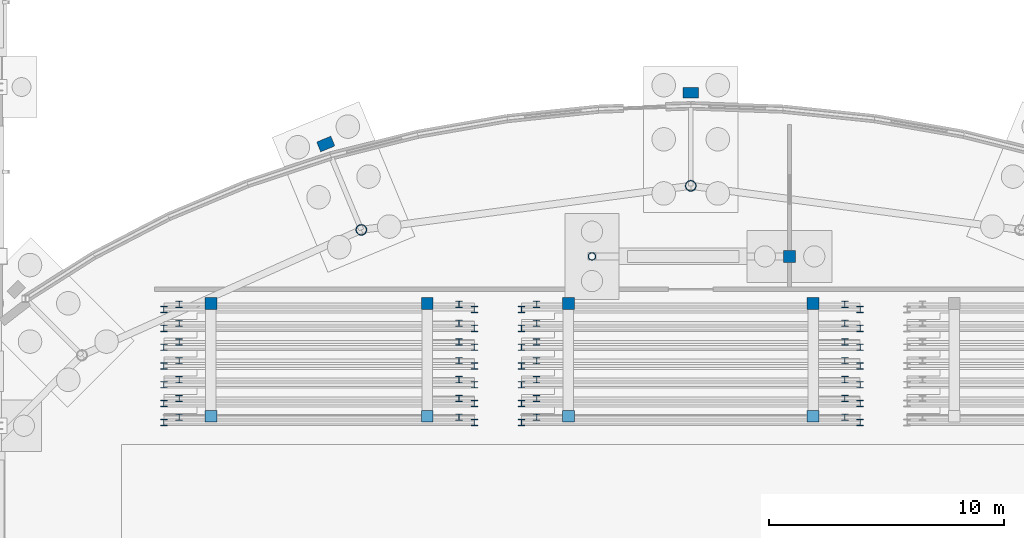
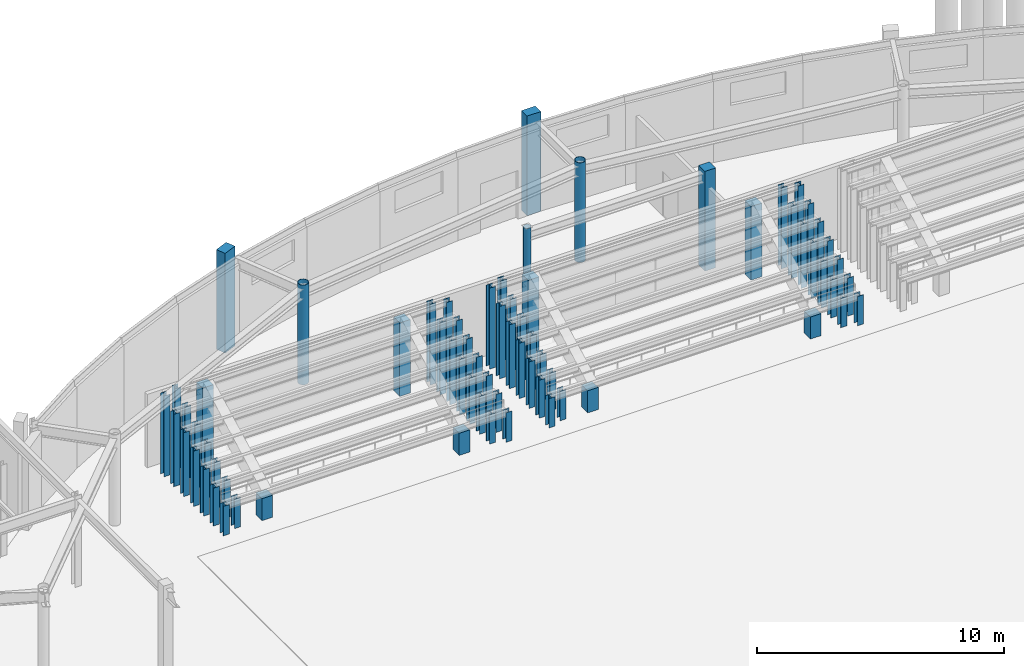
# One storey, part 21 of 93: 70 columns.
"""IFC4 building model written with IfcOpenShell, lengths in metres."""

from ifc_helpers import new_model, si_unit, derived_unit, direction, frame, origin, origin_2d, place, context, subcontext, project, spatial, rectangle, hollow_circle, i_section, extrude, material, material_profile, profile_set, type_object, element, save


model = new_model("IFC4")

# Units and contexts
model_context = context("Model", 3, precision=1e-05, world=origin(), true_north=direction((0.0, 1.0)))
body_context = subcontext(model_context, "Body", "Model", "MODEL_VIEW")
ifc_project = project(units=[si_unit("LENGTHUNIT", "METRE"), si_unit("AREAUNIT", "SQUARE_METRE"), si_unit("VOLUMEUNIT", "CUBIC_METRE"), si_unit("PLANEANGLEUNIT", "RADIAN"), si_unit("MASSUNIT", "GRAM", prefix="KILO"), derived_unit("THERMALTRANSMITTANCEUNIT", [(si_unit("MASSUNIT", "GRAM", prefix="KILO"), 1), (si_unit("TIMEUNIT", "SECOND"), -3), (si_unit("THERMODYNAMICTEMPERATUREUNIT", "KELVIN"), -1)])], contexts=[model_context])

# Site, building, storey
site_placement = place(None, origin())
site = spatial("IfcSite", under=ifc_project, at=site_placement, CompositionType="ELEMENT")
building_placement = place(site_placement, origin())
building = spatial("IfcBuilding", under=site, at=building_placement, Name="Kharveza Railside Sports Centre", CompositionType="ELEMENT")
storey_placement = place(building_placement, origin())
storey = spatial("IfcBuildingStorey", under=building, at=storey_placement, Name="L00", CompositionType="ELEMENT", Elevation=0.0)

# Columns
ifc_material_1 = material(Name="Concrete C35/45", Category="concrete")
ifc_material_profile_1 = material_profile(ifc_material_1, rectangle(XDim=0.5, YDim=0.5, at=origin_2d()), Name="RC 500x500")
ifc_profile_set_1 = profile_set([ifc_material_profile_1], Name="Concrete C35/45")
column_type_1 = type_object("IfcColumnType", Name="COL-RC03", PredefinedType="COLUMN", material=ifc_profile_set_1)
column_1_placement = place(storey_placement, frame((58.800048828125, 72.0, -0.419921875), z_axis=(0.0, 0.0, 1.0), x_axis=(1.0, 0.0, 0.0)))
element("IfcColumn", 1, at=column_1_placement, inside=storey, type_object=column_type_1, Name="COL-BOWL-04-L00", PredefinedType="COLUMN", context=body_context, shape_type="SweptSolid", body=[
    extrude(rectangle(XDim=0.5, YDim=0.5, at=origin_2d()), origin(), (0.0, 0.0, 1.0), 4.919921875),
])
column_2_placement = place(storey_placement, frame((34.199951171875, 70.0, 0.0), z_axis=(0.0, 0.0, 1.0), x_axis=(1.0, 0.0, 0.0)))
element("IfcColumn", 2, at=column_2_placement, inside=storey, type_object=column_type_1, Name="COL-RAK-NR-01", PredefinedType="COLUMN", context=body_context, shape_type="SweptSolid", body=[
    extrude(rectangle(XDim=0.5, YDim=0.5, at=origin_2d()), origin(), (0.0, 0.0, 1.0), 3.6298828125),
])
column_3_placement = place(storey_placement, frame((34.199951171875, 65.199951171875, 0.0), z_axis=(0.0, 0.0, 1.0), x_axis=(1.0, 0.0, 0.0)))
element("IfcColumn", 3, at=column_3_placement, inside=storey, type_object=column_type_1, Name="COL-RAK-NF-01", PredefinedType="COLUMN", context=body_context, shape_type="SweptSolid", body=[
    extrude(rectangle(XDim=0.5, YDim=0.5, at=origin_2d()), origin(), (0.0, 0.0, 1.0), 1.090087890625),
])
column_4_placement = place(storey_placement, frame((43.39990234375, 70.0, 0.0), z_axis=(0.0, 0.0, 1.0), x_axis=(1.0, 0.0, 0.0)))
element("IfcColumn", 4, at=column_4_placement, inside=storey, type_object=column_type_1, Name="COL-RAK-NR-02", PredefinedType="COLUMN", context=body_context, shape_type="SweptSolid", body=[
    extrude(rectangle(XDim=0.5, YDim=0.5, at=origin_2d()), origin(), (0.0, 0.0, 1.0), 3.6298828125),
])
column_5_placement = place(storey_placement, frame((43.39990234375, 65.199951171875, 0.0), z_axis=(0.0, 0.0, 1.0), x_axis=(1.0, 0.0, 0.0)))
element("IfcColumn", 5, at=column_5_placement, inside=storey, type_object=column_type_1, Name="COL-RAK-NF-02", PredefinedType="COLUMN", context=body_context, shape_type="SweptSolid", body=[
    extrude(rectangle(XDim=0.5, YDim=0.5, at=origin_2d()), origin(), (0.0, 0.0, 1.0), 1.090087890625),
])
column_6_placement = place(storey_placement, frame((49.39990234375, 70.0, 0.0), z_axis=(0.0, 0.0, 1.0), x_axis=(1.0, 0.0, 0.0)))
element("IfcColumn", 6, at=column_6_placement, inside=storey, type_object=column_type_1, Name="COL-RAK-NR-03", PredefinedType="COLUMN", context=body_context, shape_type="SweptSolid", body=[
    extrude(rectangle(XDim=0.5, YDim=0.5, at=origin_2d()), origin(), (0.0, 0.0, 1.0), 3.6298828125),
])
column_7_placement = place(storey_placement, frame((49.39990234375, 65.199951171875, 0.0), z_axis=(0.0, 0.0, 1.0), x_axis=(1.0, 0.0, 0.0)))
element("IfcColumn", 7, at=column_7_placement, inside=storey, type_object=column_type_1, Name="COL-RAK-NF-03", PredefinedType="COLUMN", context=body_context, shape_type="SweptSolid", body=[
    extrude(rectangle(XDim=0.5, YDim=0.5, at=origin_2d()), origin(), (0.0, 0.0, 1.0), 1.090087890625),
])
column_8_placement = place(storey_placement, frame((59.800048828125, 70.0, 0.0), z_axis=(0.0, 0.0, 1.0), x_axis=(1.0, 0.0, 0.0)))
element("IfcColumn", 8, at=column_8_placement, inside=storey, type_object=column_type_1, Name="COL-RAK-NR-04", PredefinedType="COLUMN", context=body_context, shape_type="SweptSolid", body=[
    extrude(rectangle(XDim=0.5, YDim=0.5, at=origin_2d()), origin(), (0.0, 0.0, 1.0), 3.6298828125),
])
column_9_placement = place(storey_placement, frame((59.800048828125, 65.199951171875, 0.0), z_axis=(0.0, 0.0, 1.0), x_axis=(1.0, 0.0, 0.0)))
element("IfcColumn", 9, at=column_9_placement, inside=storey, type_object=column_type_1, Name="COL-RAK-NF-04", PredefinedType="COLUMN", context=body_context, shape_type="SweptSolid", body=[
    extrude(rectangle(XDim=0.5, YDim=0.5, at=origin_2d()), origin(), (0.0, 0.0, 1.0), 1.090087890625),
])
ifc_material_profile_2 = material_profile(ifc_material_1, rectangle(XDim=0.449951171875, YDim=0.64990234375, at=origin_2d()), Name="RC 450x650")
ifc_profile_set_2 = profile_set([ifc_material_profile_2], Name="Concrete C35/45")
column_type_2 = type_object("IfcColumnType", Name="COL-RC04", PredefinedType="PILASTER", material=ifc_profile_set_2)
for number, where, z_axis, x_axis, name in (
    (10, (54.60009765625, 78.949951171875, -0.419921875), (0.0, 0.0, 1.0), (0.0, 1.0, 0.0), "COL-BUTT-05-L00"),
    (11, (39.082275390625, 76.77685546875, -0.419921875), (0.0, 0.0, 1.0), (-0.382683432365, 0.923879532511, 0.0), "COL-BUTT-06-L00"),
):
    element("IfcColumn", number, at=place(storey_placement, frame(where, z_axis=z_axis, x_axis=x_axis)), inside=storey, type_object=column_type_2, Name=name, PredefinedType="PILASTER", context=body_context, shape_type="SweptSolid", body=[
        extrude(rectangle(XDim=0.449951171875, YDim=0.64990234375, at=origin_2d()), origin(), (0.0, 0.0, 1.0), 4.919921875),
    ])
ifc_material_2 = material(Name="Steel S355J2", Category="steel")
ifc_material_profile_3 = material_profile(ifc_material_2, i_section(OverallWidth=0.280029296875, OverallDepth=0.27001953125, WebThickness=0.008056640625, FlangeThickness=0.012939453125, FilletRadius=0.02392578125, at=origin_2d()), Name="HEA 280")
ifc_profile_set_3 = profile_set([ifc_material_profile_3], Name="Steel S355J2")
column_type_3 = type_object("IfcColumnType", Name="COL-S13", PredefinedType="COLUMN", material=ifc_profile_set_3)
for number, where, z_axis, x_axis, name in (
    (12, (32.199951171875, 69.739990234375, 0.0), (0.0, 0.0, 1.0), (1.0, 0.0, 0.0), "COL-TPST-N01-S1-11"),
    (13, (45.39990234375, 69.739990234375, 0.0), (0.0, 0.0, 1.0), (1.0, 0.0, 0.0), "COL-TPST-N01-S1-12"),
    (14, (32.85009765625, 69.9599609375, 0.0), (0.0, 0.0, 1.0), (1.0, 0.0, 0.0), "COL-TPST-N01-S1-21"),
    (15, (44.75, 69.9599609375, 0.0), (0.0, 0.0, 1.0), (1.0, 0.0, 0.0), "COL-TPST-N01-S1-22"),
    (16, (47.39990234375, 69.739990234375, 0.0), (0.0, 0.0, 1.0), (1.0, 0.0, 0.0), "COL-TPST-N01-S2-11"),
    (17, (61.800048828125, 69.739990234375, 0.0), (0.0, 0.0, 1.0), (1.0, 0.0, 0.0), "COL-TPST-N01-S2-12"),
    (18, (48.050048828125, 69.9599609375, 0.0), (0.0, 0.0, 1.0), (1.0, 0.0, 0.0), "COL-TPST-N01-S2-21"),
    (19, (61.14990234375, 69.9599609375, 0.0), (0.0, 0.0, 1.0), (1.0, 0.0, 0.0), "COL-TPST-N01-S2-22"),
):
    element("IfcColumn", number, at=place(storey_placement, frame(where, z_axis=z_axis, x_axis=x_axis)), inside=storey, type_object=column_type_3, Name=name, PredefinedType="COLUMN", context=body_context, shape_type="SweptSolid", body=[
        extrude(i_section(OverallWidth=0.280029296875, OverallDepth=0.27001953125, WebThickness=0.008056640625, FlangeThickness=0.012939453125, FilletRadius=0.02392578125, at=origin_2d()), origin(), (0.0, 0.0, 1.0), 3.989990234375),
    ])
for number, where, z_axis, x_axis, name in (
    (20, (32.199951171875, 68.93994140625, 0.0), (0.0, 0.0, 1.0), (1.0, 0.0, 0.0), "COL-TPST-N02-S1-11"),
    (21, (45.39990234375, 68.93994140625, 0.0), (0.0, 0.0, 1.0), (1.0, 0.0, 0.0), "COL-TPST-N02-S1-12"),
    (22, (32.85009765625, 69.159912109375, 0.0), (0.0, 0.0, 1.0), (1.0, 0.0, 0.0), "COL-TPST-N02-S1-21"),
    (23, (44.75, 69.159912109375, 0.0), (0.0, 0.0, 1.0), (1.0, 0.0, 0.0), "COL-TPST-N02-S1-22"),
    (24, (47.39990234375, 68.93994140625, 0.0), (0.0, 0.0, 1.0), (1.0, 0.0, 0.0), "COL-TPST-N02-S2-11"),
    (25, (61.800048828125, 68.93994140625, 0.0), (0.0, 0.0, 1.0), (1.0, 0.0, 0.0), "COL-TPST-N02-S2-12"),
    (26, (48.050048828125, 69.159912109375, 0.0), (0.0, 0.0, 1.0), (1.0, 0.0, 0.0), "COL-TPST-N02-S2-21"),
    (27, (61.14990234375, 69.159912109375, 0.0), (0.0, 0.0, 1.0), (1.0, 0.0, 0.0), "COL-TPST-N02-S2-22"),
):
    element("IfcColumn", number, at=place(storey_placement, frame(where, z_axis=z_axis, x_axis=x_axis)), inside=storey, type_object=column_type_3, Name=name, PredefinedType="COLUMN", context=body_context, shape_type="SweptSolid", body=[
        extrude(i_section(OverallWidth=0.280029296875, OverallDepth=0.27001953125, WebThickness=0.008056640625, FlangeThickness=0.012939453125, FilletRadius=0.02392578125, at=origin_2d()), origin(), (0.0, 0.0, 1.0), 3.570068359375),
    ])
for number, where, z_axis, x_axis, name in (
    (28, (32.199951171875, 68.139892578125, 0.0), (0.0, 0.0, 1.0), (1.0, 0.0, 0.0), "COL-TPST-N03-S1-11"),
    (29, (45.39990234375, 68.139892578125, 0.0), (0.0, 0.0, 1.0), (1.0, 0.0, 0.0), "COL-TPST-N03-S1-12"),
    (30, (32.85009765625, 68.360107421875, 0.0), (0.0, 0.0, 1.0), (1.0, 0.0, 0.0), "COL-TPST-N03-S1-21"),
    (31, (44.75, 68.360107421875, 0.0), (0.0, 0.0, 1.0), (1.0, 0.0, 0.0), "COL-TPST-N03-S1-22"),
    (32, (47.39990234375, 68.139892578125, 0.0), (0.0, 0.0, 1.0), (1.0, 0.0, 0.0), "COL-TPST-N03-S2-11"),
    (33, (61.800048828125, 68.139892578125, 0.0), (0.0, 0.0, 1.0), (1.0, 0.0, 0.0), "COL-TPST-N03-S2-12"),
    (34, (48.050048828125, 68.360107421875, 0.0), (0.0, 0.0, 1.0), (1.0, 0.0, 0.0), "COL-TPST-N03-S2-21"),
    (35, (61.14990234375, 68.360107421875, 0.0), (0.0, 0.0, 1.0), (1.0, 0.0, 0.0), "COL-TPST-N03-S2-22"),
):
    element("IfcColumn", number, at=place(storey_placement, frame(where, z_axis=z_axis, x_axis=x_axis)), inside=storey, type_object=column_type_3, Name=name, PredefinedType="COLUMN", context=body_context, shape_type="SweptSolid", body=[
        extrude(i_section(OverallWidth=0.280029296875, OverallDepth=0.27001953125, WebThickness=0.008056640625, FlangeThickness=0.012939453125, FilletRadius=0.02392578125, at=origin_2d()), origin(), (0.0, 0.0, 1.0), 3.14990234375),
    ])
for number, where, z_axis, x_axis, name in (
    (36, (32.199951171875, 67.340087890625, 0.0), (0.0, 0.0, 1.0), (1.0, 0.0, 0.0), "COL-TPST-N04-S1-11"),
    (37, (45.39990234375, 67.340087890625, 0.0), (0.0, 0.0, 1.0), (1.0, 0.0, 0.0), "COL-TPST-N04-S1-12"),
    (38, (32.85009765625, 67.56005859375, 0.0), (0.0, 0.0, 1.0), (1.0, 0.0, 0.0), "COL-TPST-N04-S1-21"),
    (39, (44.75, 67.56005859375, 0.0), (0.0, 0.0, 1.0), (1.0, 0.0, 0.0), "COL-TPST-N04-S1-22"),
    (40, (47.39990234375, 67.340087890625, 0.0), (0.0, 0.0, 1.0), (1.0, 0.0, 0.0), "COL-TPST-N04-S2-11"),
    (41, (61.800048828125, 67.340087890625, 0.0), (0.0, 0.0, 1.0), (1.0, 0.0, 0.0), "COL-TPST-N04-S2-12"),
    (42, (48.050048828125, 67.56005859375, 0.0), (0.0, 0.0, 1.0), (1.0, 0.0, 0.0), "COL-TPST-N04-S2-21"),
    (43, (61.14990234375, 67.56005859375, 0.0), (0.0, 0.0, 1.0), (1.0, 0.0, 0.0), "COL-TPST-N04-S2-22"),
):
    element("IfcColumn", number, at=place(storey_placement, frame(where, z_axis=z_axis, x_axis=x_axis)), inside=storey, type_object=column_type_3, Name=name, PredefinedType="COLUMN", context=body_context, shape_type="SweptSolid", body=[
        extrude(i_section(OverallWidth=0.280029296875, OverallDepth=0.27001953125, WebThickness=0.008056640625, FlangeThickness=0.012939453125, FilletRadius=0.02392578125, at=origin_2d()), origin(), (0.0, 0.0, 1.0), 2.72998046875),
    ])
for number, where, z_axis, x_axis, name in (
    (44, (32.199951171875, 66.5400390625, 0.0), (0.0, 0.0, 1.0), (1.0, 0.0, 0.0), "COL-TPST-N05-S1-11"),
    (45, (45.39990234375, 66.5400390625, 0.0), (0.0, 0.0, 1.0), (1.0, 0.0, 0.0), "COL-TPST-N05-S1-12"),
    (46, (32.85009765625, 66.760009765625, 0.0), (0.0, 0.0, 1.0), (1.0, 0.0, 0.0), "COL-TPST-N05-S1-21"),
    (47, (44.75, 66.760009765625, 0.0), (0.0, 0.0, 1.0), (1.0, 0.0, 0.0), "COL-TPST-N05-S1-22"),
    (48, (47.39990234375, 66.5400390625, 0.0), (0.0, 0.0, 1.0), (1.0, 0.0, 0.0), "COL-TPST-N05-S2-11"),
    (49, (61.800048828125, 66.5400390625, 0.0), (0.0, 0.0, 1.0), (1.0, 0.0, 0.0), "COL-TPST-N05-S2-12"),
    (50, (48.050048828125, 66.760009765625, 0.0), (0.0, 0.0, 1.0), (1.0, 0.0, 0.0), "COL-TPST-N05-S2-21"),
    (51, (61.14990234375, 66.760009765625, 0.0), (0.0, 0.0, 1.0), (1.0, 0.0, 0.0), "COL-TPST-N05-S2-22"),
):
    element("IfcColumn", number, at=place(storey_placement, frame(where, z_axis=z_axis, x_axis=x_axis)), inside=storey, type_object=column_type_3, Name=name, PredefinedType="COLUMN", context=body_context, shape_type="SweptSolid", body=[
        extrude(i_section(OverallWidth=0.280029296875, OverallDepth=0.27001953125, WebThickness=0.008056640625, FlangeThickness=0.012939453125, FilletRadius=0.02392578125, at=origin_2d()), origin(), (0.0, 0.0, 1.0), 2.2919921875),
    ])
for number, where, z_axis, x_axis, name in (
    (52, (32.199951171875, 65.739990234375, 0.0), (0.0, 0.0, 1.0), (1.0, 0.0, 0.0), "COL-TPST-N06-S1-11"),
    (53, (45.39990234375, 65.739990234375, 0.0), (0.0, 0.0, 1.0), (1.0, 0.0, 0.0), "COL-TPST-N06-S1-12"),
    (54, (32.85009765625, 65.9599609375, 0.0), (0.0, 0.0, 1.0), (1.0, 0.0, 0.0), "COL-TPST-N06-S1-21"),
    (55, (44.75, 65.9599609375, 0.0), (0.0, 0.0, 1.0), (1.0, 0.0, 0.0), "COL-TPST-N06-S1-22"),
    (56, (47.39990234375, 65.739990234375, 0.0), (0.0, 0.0, 1.0), (1.0, 0.0, 0.0), "COL-TPST-N06-S2-11"),
    (57, (61.800048828125, 65.739990234375, 0.0), (0.0, 0.0, 1.0), (1.0, 0.0, 0.0), "COL-TPST-N06-S2-12"),
    (58, (48.050048828125, 65.9599609375, 0.0), (0.0, 0.0, 1.0), (1.0, 0.0, 0.0), "COL-TPST-N06-S2-21"),
    (59, (61.14990234375, 65.9599609375, 0.0), (0.0, 0.0, 1.0), (1.0, 0.0, 0.0), "COL-TPST-N06-S2-22"),
):
    element("IfcColumn", number, at=place(storey_placement, frame(where, z_axis=z_axis, x_axis=x_axis)), inside=storey, type_object=column_type_3, Name=name, PredefinedType="COLUMN", context=body_context, shape_type="SweptSolid", body=[
        extrude(i_section(OverallWidth=0.280029296875, OverallDepth=0.27001953125, WebThickness=0.008056640625, FlangeThickness=0.012939453125, FilletRadius=0.02392578125, at=origin_2d()), origin(), (0.0, 0.0, 1.0), 1.8720703125),
    ])
for number, where, z_axis, x_axis, name in (
    (60, (32.199951171875, 64.93994140625, 0.0), (0.0, 0.0, 1.0), (1.0, 0.0, 0.0), "COL-TPST-N07-S1-11"),
    (61, (45.39990234375, 64.93994140625, 0.0), (0.0, 0.0, 1.0), (1.0, 0.0, 0.0), "COL-TPST-N07-S1-12"),
    (62, (32.85009765625, 65.159912109375, 0.0), (0.0, 0.0, 1.0), (1.0, 0.0, 0.0), "COL-TPST-N07-S1-21"),
    (63, (44.75, 65.159912109375, 0.0), (0.0, 0.0, 1.0), (1.0, 0.0, 0.0), "COL-TPST-N07-S1-22"),
    (64, (47.39990234375, 64.93994140625, 0.0), (0.0, 0.0, 1.0), (1.0, 0.0, 0.0), "COL-TPST-N07-S2-11"),
    (65, (61.800048828125, 64.93994140625, 0.0), (0.0, 0.0, 1.0), (1.0, 0.0, 0.0), "COL-TPST-N07-S2-12"),
    (66, (48.050048828125, 65.159912109375, 0.0), (0.0, 0.0, 1.0), (1.0, 0.0, 0.0), "COL-TPST-N07-S2-21"),
    (67, (61.14990234375, 65.159912109375, 0.0), (0.0, 0.0, 1.0), (1.0, 0.0, 0.0), "COL-TPST-N07-S2-22"),
):
    element("IfcColumn", number, at=place(storey_placement, frame(where, z_axis=z_axis, x_axis=x_axis)), inside=storey, type_object=column_type_3, Name=name, PredefinedType="COLUMN", context=body_context, shape_type="SweptSolid", body=[
        extrude(i_section(OverallWidth=0.280029296875, OverallDepth=0.27001953125, WebThickness=0.008056640625, FlangeThickness=0.012939453125, FilletRadius=0.02392578125, at=origin_2d()), origin(), (0.0, 0.0, 1.0), 1.451904296875),
    ])
ifc_material_profile_4 = material_profile(ifc_material_2, hollow_circle(Radius=0.228515625, WallThickness=0.02001953125, at=origin_2d()), Name="CHS 457.0x20.0")
ifc_profile_set_4 = profile_set([ifc_material_profile_4], Name="Steel S355J2")
column_type_4 = type_object("IfcColumnType", Name="COL-T01", PredefinedType="COLUMN", material=ifc_profile_set_4)
for number, where, z_axis, x_axis, name in (
    (68, (54.60009765625, 75.0, -0.419921875), (0.0, 0.0, 1.0), (1.0, 0.0, 0.0), "COL-DRUM-05-L00"),
    (69, (40.59375, 73.12744140625, -0.419921875), (0.0, 0.0, 1.0), (1.0, 0.0, 0.0), "COL-DRUM-06-L00"),
):
    element("IfcColumn", number, at=place(storey_placement, frame(where, z_axis=z_axis, x_axis=x_axis)), inside=storey, type_object=column_type_4, Name=name, PredefinedType="COLUMN", context=body_context, shape_type="SweptSolid", body=[
        extrude(hollow_circle(Radius=0.228515625, WallThickness=0.02001953125, at=origin_2d()), origin(), (0.0, 0.0, 1.0), 4.919921875),
    ])
ifc_material_profile_5 = material_profile(ifc_material_2, hollow_circle(Radius=0.161865234375, WallThickness=0.01611328125, at=origin_2d()), Name="CHS 323.9x16.0")
ifc_profile_set_5 = profile_set([ifc_material_profile_5], Name="Steel S355J2")
column_type_5 = type_object("IfcColumnType", Name="COL-T04", PredefinedType="COLUMN", material=ifc_profile_set_5)
column_10_placement = place(storey_placement, frame((50.39990234375, 72.0, -0.419921875), z_axis=(0.0, 0.0, 1.0), x_axis=(1.0, 0.0, 0.0)))
element("IfcColumn", 70, at=column_10_placement, inside=storey, type_object=column_type_5, Name="COL-BOWL-02-L00", PredefinedType="COLUMN", context=body_context, shape_type="SweptSolid", body=[
    extrude(hollow_circle(Radius=0.161865234375, WallThickness=0.01611328125, at=origin_2d()), origin(), (0.0, 0.0, 1.0), 4.919921875),
])

save(model, "model.ifc")
